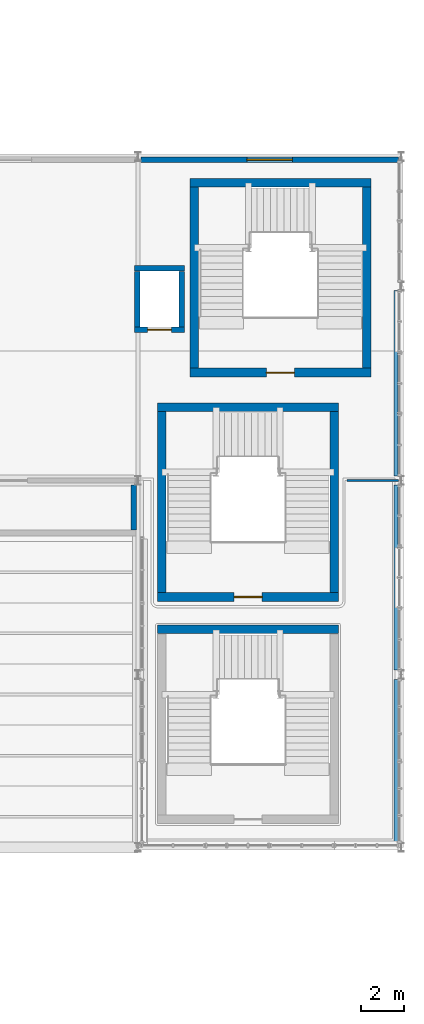
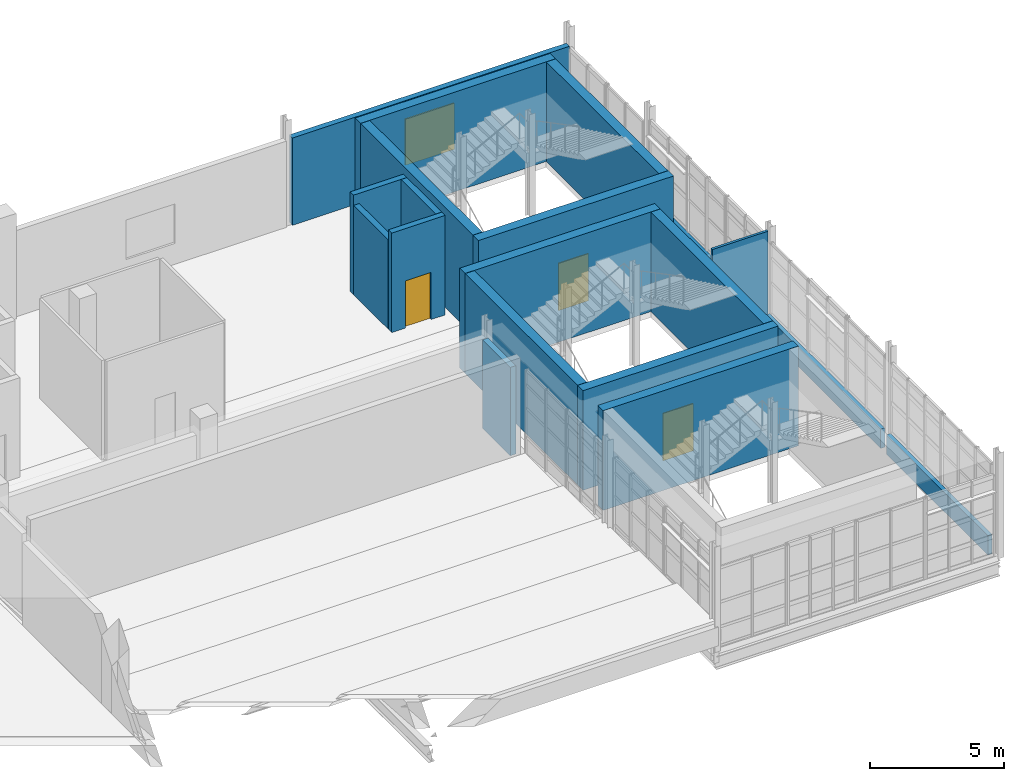
# One storey, part 92 of 100: 19 walls, 3 doors, 1 window, 4 openings.
"""IFC4 building model written with IfcOpenShell, lengths in metres."""

from ifc_helpers import new_model, si_unit, derived_unit, direction, frame, frame_2d, origin, place, context, subcontext, project, spatial, rectangle, extrude, material, layer, layer_set, type_object, element, fill, save


model = new_model("IFC4")

# Units and contexts
model_context = context("Model", 3, precision=1e-05, world=origin(), true_north=direction((0.0, 1.0)))
body_context = subcontext(model_context, "Body", "Model", "MODEL_VIEW")
ifc_project = project(units=[si_unit("LENGTHUNIT", "METRE"), si_unit("AREAUNIT", "SQUARE_METRE"), si_unit("VOLUMEUNIT", "CUBIC_METRE"), si_unit("PLANEANGLEUNIT", "RADIAN"), si_unit("MASSUNIT", "GRAM", prefix="KILO"), derived_unit("THERMALTRANSMITTANCEUNIT", [(si_unit("POWERUNIT", "WATT"), 1), (si_unit("LENGTHUNIT", "METRE"), -2), (si_unit("THERMODYNAMICTEMPERATUREUNIT", "KELVIN"), -1)])], contexts=[model_context])

# Site, building, storey
site_placement = place(None, origin())
site = spatial("IfcSite", under=ifc_project, at=site_placement, CompositionType="ELEMENT")
building_placement = place(site_placement, origin())
building = spatial("IfcBuilding", under=site, at=building_placement, Name="Nallur Shell Playhouse", CompositionType="ELEMENT")
storey_placement = place(building_placement, frame((0.0, 0.0, 10.199951171875)))
storey = spatial("IfcBuildingStorey", under=building, at=storey_placement, Name="L03", CompositionType="ELEMENT", Elevation=10.199951171875)

# Wall, opening, door
ifc_material_1 = material(Name="Concrete M45", Category="concrete")
ifc_layer_1 = layer(ifc_material_1, 0.39990234375)
ifc_layer_set_1 = layer_set([ifc_layer_1], Name="Concrete M45")
wall_type_1 = type_object("IfcWallType", Name="WL-CORE-400", PredefinedType="SHEAR", material=ifc_layer_set_1)
wall_1_placement = place(storey_placement, frame((150.0, 46.0, 0.0), z_axis=(0.0, 0.0, 1.0), x_axis=(1.0, 0.0, 0.0)))
wall_1 = element("IfcWall", 1, at=wall_1_placement, inside=storey, type_object=wall_type_1, Name="Joint Core JC-5 shear wall S (L03)", PredefinedType="SHEAR", context=body_context, shape_type="SweptSolid", body=[
    extrude(rectangle(XDim=8.39990234375, YDim=0.39990234375, at=frame_2d((4.199951171875, 0.0))), origin(), (0.0, 0.0, 1.0), 4.5400390625),
])
opening_1_placement = place(wall_1_placement, frame((3.550048828125, 0.0, 0.0)))
opening_1 = element("IfcOpeningElement", 2, at=opening_1_placement, cuts=wall_1, Name="Opening FD-ST1", PredefinedType="OPENING", context=body_context, shape_type="SweptSolid", body=[
    extrude(rectangle(XDim=1.300048828125, YDim=2.14990234375, at=frame_2d((0.64990234375, 1.074951171875))), frame((0.0, 0.2099609375, 0.0), z_axis=(0.0, -1.0, 0.0), x_axis=(1.0, 0.0, 0.0)), (0.0, 0.0, 1.0), 0.419921875),
])
ifc_material_2 = material(Name="Galvanised Steel Fire-Rated Stair Door", Category="steel")
door_type_1 = type_object("IfcDoorType", Name="DR-INT-STAIR-L", OperationType="SINGLE_SWING_LEFT", PredefinedType="DOOR", material=ifc_material_2)
door_1_placement = place(opening_1_placement, origin())
door_1 = element("IfcDoor", 3, at=door_1_placement, inside=storey, type_object=door_type_1, Name="Exit stair ST-05 fire door (L03)", OperationType="SINGLE_SWING_LEFT", OverallHeight=2.14990234375, OverallWidth=1.300048828125, PredefinedType="DOOR", context=body_context, shape_type="SweptSolid", body=[
    extrude(rectangle(XDim=1.300048828125, YDim=2.14990234375, at=frame_2d((0.64990234375, 1.074951171875))), frame((0.0, 0.02490234375, 0.0), z_axis=(0.0, -1.0, 0.0), x_axis=(1.0, 0.0, 0.0)), (0.0, 0.0, 1.0), 0.050048828125),
])
fill(opening_1, door_1)

# Walls
wall_2_placement = place(storey_placement, frame((158.39990234375, 54.800048828125, 0.0), z_axis=(0.0, 0.0, 1.0), x_axis=(-1.0, 0.0, 0.0)))
element("IfcWall", 4, at=wall_2_placement, inside=storey, type_object=wall_type_1, Name="Joint Core JC-5 shear wall N (L03)", PredefinedType="SHEAR", context=body_context, shape_type="SweptSolid", body=[
    extrude(rectangle(XDim=8.39990234375, YDim=0.39990234375, at=frame_2d((4.199951171875, 0.0))), origin(), (0.0, 0.0, 1.0), 4.5400390625),
])
for number, where, z_axis, x_axis, name in (
    (5, (158.199951171875, 46.2099609375, 0.0), (0.0, 0.0, 1.0), (0.0, 1.0, 0.0), "Joint Core JC-5 shear wall E (L03)"),
    (6, (150.199951171875, 54.590087890625, 0.0), (0.0, 0.0, 1.0), (0.0, -1.0, 0.0), "Joint Core JC-5 shear wall W (L03)"),
):
    element("IfcWall", number, at=place(storey_placement, frame(where, z_axis=z_axis, x_axis=x_axis)), inside=storey, type_object=wall_type_1, Name=name, PredefinedType="SHEAR", context=body_context, shape_type="SweptSolid", body=[
        extrude(rectangle(XDim=8.380126953125, YDim=0.39990234375, at=frame_2d((4.18994140625, 0.0))), origin(), (0.0, 0.0, 1.0), 4.5400390625),
    ])
wall_3_placement = place(storey_placement, frame((156.89990234375, 34.10009765625, 0.0), z_axis=(0.0, 0.0, 1.0), x_axis=(-1.0, 0.0, 0.0)))
element("IfcWall", 7, at=wall_3_placement, inside=storey, type_object=wall_type_1, Name="Joint Core JC-8 shear wall N (L03)", PredefinedType="SHEAR", context=body_context, shape_type="SweptSolid", body=[
    extrude(rectangle(XDim=8.39990234375, YDim=0.39990234375, at=frame_2d((4.199951171875, 0.0))), origin(), (0.0, 0.0, 1.0), 4.5400390625),
])

# Wall, opening, door
wall_4_placement = place(storey_placement, frame((148.5, 35.60009765625, 0.0), z_axis=(0.0, 0.0, 1.0), x_axis=(1.0, 0.0, 0.0)))
wall_4 = element("IfcWall", 8, at=wall_4_placement, inside=storey, type_object=wall_type_1, Name="Joint Core JC-9 shear wall S (L03)", PredefinedType="SHEAR", context=body_context, shape_type="SweptSolid", body=[
    extrude(rectangle(XDim=8.39990234375, YDim=0.39990234375, at=frame_2d((4.199951171875, 0.0))), origin(), (0.0, 0.0, 1.0), 4.5400390625),
])
opening_2_placement = place(wall_4_placement, frame((3.550048828125, 0.0, 0.0)))
opening_2 = element("IfcOpeningElement", 9, at=opening_2_placement, cuts=wall_4, Name="Opening FD-ST1", PredefinedType="OPENING", context=body_context, shape_type="SweptSolid", body=[
    extrude(rectangle(XDim=1.300048828125, YDim=2.14990234375, at=frame_2d((0.64990234375, 1.074951171875))), frame((0.0, 0.2099609375, 0.0), z_axis=(0.0, -1.0, 0.0), x_axis=(1.0, 0.0, 0.0)), (0.0, 0.0, 1.0), 0.419921875),
])
door_2_placement = place(opening_2_placement, origin())
door_2 = element("IfcDoor", 10, at=door_2_placement, inside=storey, type_object=door_type_1, Name="Exit stair ST-09 fire door (L03)", OperationType="SINGLE_SWING_LEFT", OverallHeight=2.14990234375, OverallWidth=1.300048828125, PredefinedType="DOOR", context=body_context, shape_type="SweptSolid", body=[
    extrude(rectangle(XDim=1.300048828125, YDim=2.14990234375, at=frame_2d((0.64990234375, 1.074951171875))), frame((0.0, 0.02490234375, 0.0), z_axis=(0.0, -1.0, 0.0), x_axis=(1.0, 0.0, 0.0)), (0.0, 0.0, 1.0), 0.050048828125),
])
fill(opening_2, door_2)

# Walls
wall_5_placement = place(storey_placement, frame((156.89990234375, 44.39990234375, 0.0), z_axis=(0.0, 0.0, 1.0), x_axis=(-1.0, 0.0, 0.0)))
element("IfcWall", 11, at=wall_5_placement, inside=storey, type_object=wall_type_1, Name="Joint Core JC-9 shear wall N (L03)", PredefinedType="SHEAR", context=body_context, shape_type="SweptSolid", body=[
    extrude(rectangle(XDim=8.39990234375, YDim=0.39990234375, at=frame_2d((4.199951171875, 0.0))), origin(), (0.0, 0.0, 1.0), 4.5400390625),
])
for number, where, z_axis, x_axis, name in (
    (12, (156.699951171875, 35.81005859375, 0.0), (0.0, 0.0, 1.0), (0.0, 1.0, 0.0), "Joint Core JC-9 shear wall E (L03)"),
    (13, (148.699951171875, 44.18994140625, 0.0), (0.0, 0.0, 1.0), (0.0, -1.0, 0.0), "Joint Core JC-9 shear wall W (L03)"),
):
    element("IfcWall", number, at=place(storey_placement, frame(where, z_axis=z_axis, x_axis=x_axis)), inside=storey, type_object=wall_type_1, Name=name, PredefinedType="SHEAR", context=body_context, shape_type="SweptSolid", body=[
        extrude(rectangle(XDim=8.3798828125, YDim=0.39990234375, at=frame_2d((4.18994140625, 0.0))), origin(), (0.0, 0.0, 1.0), 4.5400390625),
    ])

# Wall, opening, window
ifc_material_3 = material(Name="Precast concrete M40", Category="concrete")
ifc_layer_2 = layer(ifc_material_3, 0.239990234375)
ifc_layer_set_2 = layer_set([ifc_layer_2], Name="Precast concrete M40")
wall_type_2 = type_object("IfcWallType", Name="WL-EXT-CLAD240", PredefinedType="ELEMENTEDWALL", material=ifc_layer_set_2)
wall_6_placement = place(storey_placement, frame((147.73291015625, 55.860107421875, 0.0), z_axis=(0.0, 0.0, 1.0), x_axis=(1.0, 0.0, 0.0)))
wall_6 = element("IfcWall", 14, at=wall_6_placement, inside=storey, type_object=wall_type_2, Name="L03 exterior wall EW-L03-150", PredefinedType="ELEMENTEDWALL", context=body_context, shape_type="SweptSolid", body=[
    extrude(rectangle(XDim=11.93408203125, YDim=0.239990234375, at=frame_2d((5.967041015625, 0.0))), origin(), (0.0, 0.0, 1.0), 3.97509765625),
])
opening_3_placement = place(wall_6_placement, frame((4.9169921875, 0.0, 0.949951171875)))
opening_3 = element("IfcOpeningElement", 15, at=opening_3_placement, cuts=wall_6, Name="Opening WN-28", PredefinedType="OPENING", context=body_context, shape_type="SweptSolid", body=[
    extrude(rectangle(XDim=2.10009765625, YDim=2.10009765625, at=frame_2d((1.050048828125, 1.050048828125))), frame((0.0, 0.1298828125, 0.0), z_axis=(0.0, -1.0, 0.0), x_axis=(1.0, 0.0, 0.0)), (0.0, 0.0, 1.0), 0.260009765625),
])
ifc_material_4 = material(Name="Thermally Broken Aluminium Acoustic Double-Glazed Window", Category="aluminium")
window_type = type_object("IfcWindowType", Name="WN-TYPE-28", PartitioningType="SINGLE_PANEL", PredefinedType="LIGHTDOME", material=ifc_material_4)
window_placement = place(opening_3_placement, origin())
window = element("IfcWindow", 16, at=window_placement, inside=storey, type_object=window_type, Name="L03 facade module window 060", OverallHeight=2.10009765625, OverallWidth=2.10009765625, PartitioningType="SINGLE_PANEL", PredefinedType="LIGHTDOME", context=body_context, shape_type="SweptSolid", body=[
    extrude(rectangle(XDim=2.10009765625, YDim=2.10009765625, at=frame_2d((1.050048828125, 1.050048828125))), frame((0.0, 0.030029296875, 0.0), z_axis=(0.0, -1.0, 0.0), x_axis=(1.0, 0.0, 0.0)), (0.0, 0.0, 1.0), 0.06005859375),
])
fill(opening_3, window)

# Walls
ifc_material_5 = material(Name="Concrete M35", Category="concrete")
ifc_layer_3 = layer(ifc_material_5, 0.179931640625)
ifc_layer_set_3 = layer_set([ifc_layer_3], Name="Concrete M35")
wall_type_3 = type_object("IfcWallType", Name="WL-PARAPET-180", PredefinedType="PARAPET", material=ifc_layer_set_3)
for number, where, z_axis, x_axis, name in (
    (17, (159.56005859375, 49.7900390625, 0.0), (0.0, 0.0, 1.0), (0.0, -1.0, 0.0), "L03 curtain-wall internal spandrel upstand 036"),
    (18, (159.56005859375, 40.7900390625, 0.0), (0.0, 0.0, 1.0), (0.0, -1.0, 0.0), "L03 curtain-wall internal spandrel upstand 037"),
):
    element("IfcWall", number, at=place(storey_placement, frame(where, z_axis=z_axis, x_axis=x_axis)), inside=storey, type_object=wall_type_3, Name=name, PredefinedType="PARAPET", context=body_context, shape_type="SweptSolid", body=[
        extrude(rectangle(XDim=8.580078125, YDim=0.179931640625, at=frame_2d((4.2900390625, 0.0))), origin(), (0.0, 0.0, 1.0), 0.880126953125),
    ])
wall_7_placement = place(storey_placement, frame((159.56005859375, 31.7900390625, 0.0), z_axis=(0.0, 0.0, 1.0), x_axis=(0.0, -1.0, 0.0)))
element("IfcWall", 19, at=wall_7_placement, inside=storey, type_object=wall_type_3, Name="L03 curtain-wall internal spandrel upstand 038", PredefinedType="PARAPET", context=body_context, shape_type="SweptSolid", body=[
    extrude(rectangle(XDim=7.580078125, YDim=0.179931640625, at=frame_2d((3.7900390625, 0.0))), origin(), (0.0, 0.0, 1.0), 0.880126953125),
])
ifc_material_6 = material(Name="Concrete M30", Category="concrete")
ifc_layer_4 = layer(ifc_material_6, 0.25)
ifc_layer_set_4 = layer_set([ifc_layer_4], Name="Concrete M30")
wall_type_4 = type_object("IfcWallType", Name="WL-PART-AC250", PredefinedType="PARTITIONING", material=ifc_layer_set_4)
wall_8_placement = place(storey_placement, frame((147.39990234375, 40.784912109375, 0.0), z_axis=(0.0, 0.0, 1.0), x_axis=(0.0, -1.0, 0.0)))
element("IfcWall", 20, at=wall_8_placement, inside=storey, type_object=wall_type_4, Name="Studio Theatre Stage & Wing Deck partition IW-L03-0214", PredefinedType="PARTITIONING", context=body_context, shape_type="SweptSolid", body=[
    extrude(rectangle(XDim=2.080810546875, YDim=0.25, at=frame_2d((1.04052734375, 0.0))), origin(), (0.0, 0.0, 1.0), 4.02001953125),
])
ifc_material_7 = material(Name="Operable Acoustic Timber-Veneered Partition Panel", Category="wood")
ifc_layer_5 = layer(ifc_material_7, 0.110107421875)
ifc_layer_set_5 = layer_set([ifc_layer_5], Name="Operable Acoustic Timber-Veneered Partition Panel")
wall_type_5 = type_object("IfcWallType", Name="WL-PART-MOV110", PredefinedType="MOVABLE", material=ifc_layer_set_5)
wall_9_placement = place(storey_placement, frame((157.27490234375, 41.0, 0.0), z_axis=(0.0, 0.0, 1.0), x_axis=(1.0, 0.0, 0.0)))
element("IfcWall", 21, at=wall_9_placement, inside=storey, type_object=wall_type_5, Name="Youth Drama & Playwriting Workshop partition IW-L03-0260", PredefinedType="MOVABLE", context=body_context, shape_type="SweptSolid", body=[
    extrude(rectangle(XDim=2.39599609375, YDim=0.110107421875, at=frame_2d((1.197998046875, 0.0))), origin(), (0.0, 0.0, 1.0), 4.530029296875),
])

# Wall, opening, door
ifc_layer_6 = layer(ifc_material_1, 0.25)
ifc_layer_set_6 = layer_set([ifc_layer_6], Name="Concrete M45")
wall_type_6 = type_object("IfcWallType", Name="WL-SHAFT-250", PredefinedType="STANDARD", material=ifc_layer_set_6)
wall_10_placement = place(storey_placement, frame((147.449951171875, 47.97509765625, 0.0), z_axis=(0.0, 0.0, 1.0), x_axis=(1.0, 0.0, 0.0)))
wall_10 = element("IfcWall", 22, at=wall_10_placement, inside=storey, type_object=wall_type_6, Name="Studio Passenger Lift PL-5 shaft wall south (L03)", PredefinedType="STANDARD", context=body_context, shape_type="SweptSolid", body=[
    extrude(rectangle(XDim=2.300048828125, YDim=0.25, at=frame_2d((1.14990234375, 0.0))), origin(), (0.0, 0.0, 1.0), 4.530029296875),
])
opening_4_placement = place(wall_10_placement, frame((0.60009765625, 0.0, 0.0)))
opening_4 = element("IfcOpeningElement", 23, at=opening_4_placement, cuts=wall_10, Name="Opening LD-P1", PredefinedType="OPENING", context=body_context, shape_type="SweptSolid", body=[
    extrude(rectangle(XDim=1.10009765625, YDim=2.14990234375, at=frame_2d((0.550048828125, 1.074951171875))), frame((0.0, 0.135009765625, 0.0), z_axis=(0.0, -1.0, 0.0), x_axis=(1.0, 0.0, 0.0)), (0.0, 0.0, 1.0), 0.27001953125),
])
ifc_material_8 = material(Name="Brushed Stainless Steel Lift Landing Door", Category="steel")
door_type_2 = type_object("IfcDoorType", Name="DR-LIFT-PASS", OperationType="DOUBLE_DOOR_SLIDING", PredefinedType="DOOR", material=ifc_material_8)
door_3_placement = place(opening_4_placement, origin())
door_3 = element("IfcDoor", 24, at=door_3_placement, inside=storey, type_object=door_type_2, Name="Studio Passenger Lift PL-5 sliding landing door (L03)", OperationType="DOUBLE_DOOR_SLIDING", OverallHeight=2.14990234375, OverallWidth=1.10009765625, PredefinedType="DOOR", context=body_context, shape_type="SweptSolid", body=[
    extrude(rectangle(XDim=1.10009765625, YDim=2.14990234375, at=frame_2d((0.550048828125, 1.074951171875))), frame((0.0, 0.02490234375, 0.0), z_axis=(0.0, -1.0, 0.0), x_axis=(1.0, 0.0, 0.0)), (0.0, 0.0, 1.0), 0.050048828125),
])
fill(opening_4, door_3)

# Walls
wall_11_placement = place(storey_placement, frame((149.75, 50.824951171875, 0.0), z_axis=(0.0, 0.0, 1.0), x_axis=(-1.0, 0.0, 0.0)))
element("IfcWall", 25, at=wall_11_placement, inside=storey, type_object=wall_type_6, Name="Studio Passenger Lift PL-5 shaft wall north (L03)", PredefinedType="STANDARD", context=body_context, shape_type="SweptSolid", body=[
    extrude(rectangle(XDim=2.300048828125, YDim=0.25, at=frame_2d((1.14990234375, 0.0))), origin(), (0.0, 0.0, 1.0), 4.530029296875),
])
wall_12_placement = place(storey_placement, frame((149.625, 48.110107421875, 0.0), z_axis=(0.0, 0.0, 1.0), x_axis=(0.0, 1.0, 0.0)))
element("IfcWall", 26, at=wall_12_placement, inside=storey, type_object=wall_type_6, Name="Studio Passenger Lift PL-5 shaft wall east (L03)", PredefinedType="STANDARD", context=body_context, shape_type="SweptSolid", body=[
    extrude(rectangle(XDim=2.579833984375, YDim=0.25, at=frame_2d((1.2900390625, 0.0))), origin(), (0.0, 0.0, 1.0), 4.530029296875),
])
wall_13_placement = place(storey_placement, frame((147.574951171875, 50.68994140625, 0.0), z_axis=(0.0, 0.0, 1.0), x_axis=(0.0, -1.0, 0.0)))
element("IfcWall", 27, at=wall_13_placement, inside=storey, type_object=wall_type_6, Name="Studio Passenger Lift PL-5 shaft wall west (L03)", PredefinedType="STANDARD", context=body_context, shape_type="SweptSolid", body=[
    extrude(rectangle(XDim=2.579833984375, YDim=0.25, at=frame_2d((1.2900390625, 0.0))), origin(), (0.0, 0.0, 1.0), 4.070068359375),
])

save(model, "model.ifc")
